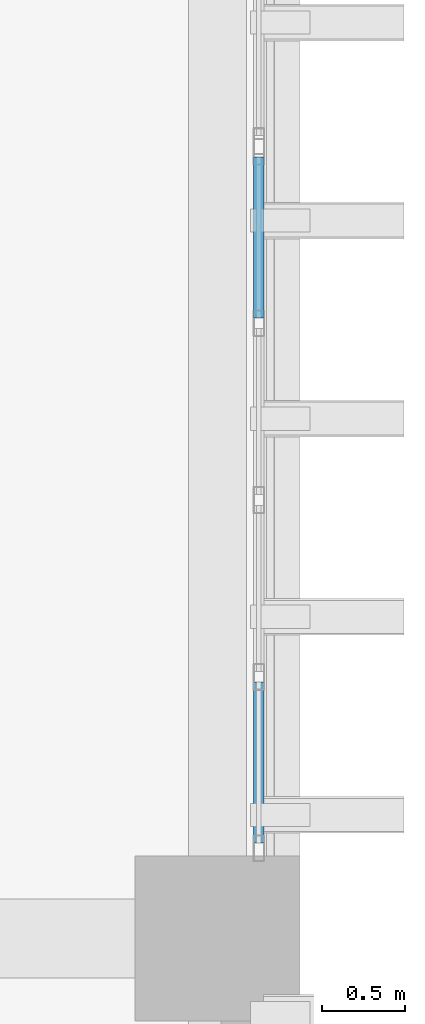
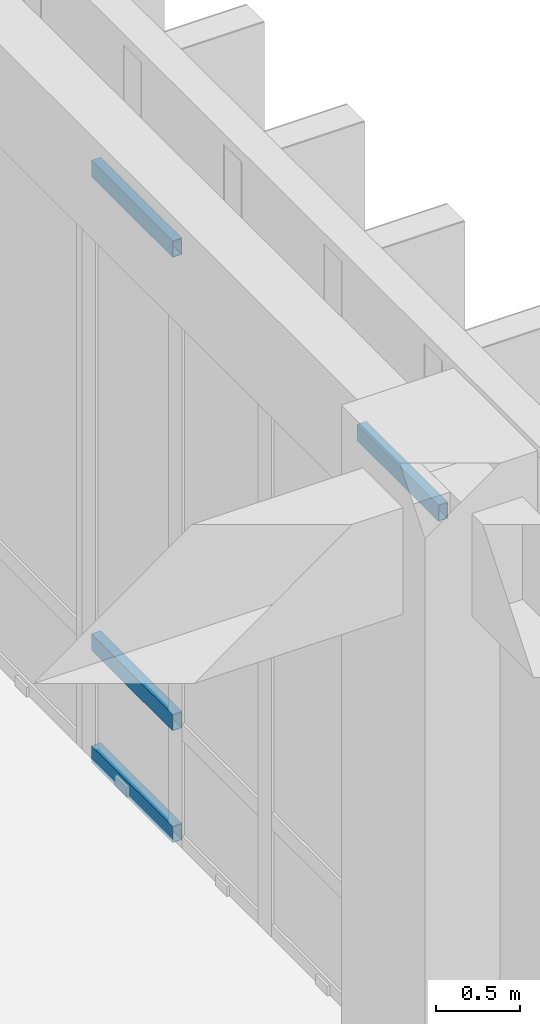
# One storey, part 90 of 134: 4 members, 1 element without a shape of its own.
"""IFC4 building model written with IfcOpenShell, lengths in metres."""

from ifc_helpers import new_model, si_unit, direction, frame, origin, origin_2d, place, context, subcontext, project, spatial, hollow_rectangle, extrude, material, layer, layer_set, material_profile, profile_set, type_object, element, aggregate, save


model = new_model("IFC4")

# Units and contexts
model_context = context("Model", 3, precision=1e-05, world=origin(), true_north=direction((0.0, 1.0)))
body_context = subcontext(model_context, "Body", "Model", "MODEL_VIEW")
ifc_project = project(units=[si_unit("LENGTHUNIT", "METRE"), si_unit("AREAUNIT", "SQUARE_METRE"), si_unit("VOLUMEUNIT", "CUBIC_METRE"), si_unit("PLANEANGLEUNIT", "RADIAN"), si_unit("MASSUNIT", "GRAM", prefix="KILO")], contexts=[model_context])

# Site, building, storey
site_placement = place(None, origin())
site = spatial("IfcSite", under=ifc_project, at=site_placement, CompositionType="ELEMENT")
building_placement = place(site_placement, origin())
building = spatial("IfcBuilding", under=site, at=building_placement, Name="Nakhvara Creek Congress Hotel", CompositionType="ELEMENT")
storey_placement = place(building_placement, frame((0.0, 0.0, 6.0)))
storey = spatial("IfcBuildingStorey", under=building, at=storey_placement, Name="L01", CompositionType="ELEMENT", Elevation=6.0)

# Curtain wall, members
ifc_material_1 = material(Name="Bronze-anodised aluminium AW-6063-T6 and double-silver low-E glass", Category="aluminium")
ifc_layer = layer(ifc_material_1, 0.199951171875)
ifc_layer_set = layer_set([ifc_layer], Name="Bronze-anodised aluminium AW-6063-T6 and double-silver low-E glass")
curtain_wall_type = type_object("IfcCurtainWallType", Name="CW-HTL-UNIT", PredefinedType="USERDEFINED", material=ifc_layer_set)
curtain_wall_placement = place(storey_placement, origin())
curtain_wall = element("IfcCurtainWall", 1, at=curtain_wall_placement, inside=storey, type_object=curtain_wall_type, Name="Curtain Wall CW125", ObjectType="UNITISED", PredefinedType="USERDEFINED")
ifc_material_2 = material(Name="Bronze-anodised aluminium AW-6063-T6", Category="aluminium")
ifc_material_profile = material_profile(ifc_material_2, hollow_rectangle(XDim=0.06494140625, YDim=0.1201171875, WallThickness=0.00390625, at=origin_2d()), Name="ALU-TRAN 65x120x4", Category="LoadBearing")
ifc_profile_set = profile_set([ifc_material_profile], Name="Bronze-anodised aluminium AW-6063-T6")
member_type = type_object("IfcMemberType", Name="CW-TRAN-120", PredefinedType="USERDEFINED", material=ifc_profile_set)
member_1_placement = place(storey_placement, frame((179.60009765625, 119.93505859375, 0.032470703125), z_axis=(0.0, -1.0, 0.0), x_axis=(1.0, 0.0, 0.0)))
member_1 = element("IfcMember", 2, at=member_1_placement, type_object=member_type, Name="CW125 transom 1.1", ObjectType="TRANSOM", PredefinedType="USERDEFINED", context=body_context, shape_type="SweptSolid", body=[
    extrude(hollow_rectangle(XDim=0.06494140625, YDim=0.1201171875, WallThickness=0.00390625, at=origin_2d()), origin(), (0.0, 0.0, 1.0), 0.973876953125),
])
member_2_placement = place(storey_placement, frame((179.60009765625, 119.93505859375, 0.85009765625), z_axis=(0.0, -1.0, 0.0), x_axis=(1.0, 0.0, 0.0)))
member_2 = element("IfcMember", 3, at=member_2_placement, type_object=member_type, Name="CW125 transom 1.2", ObjectType="TRANSOM", PredefinedType="USERDEFINED", context=body_context, shape_type="SweptSolid", body=[
    extrude(hollow_rectangle(XDim=0.06494140625, YDim=0.1201171875, WallThickness=0.00390625, at=origin_2d()), origin(), (0.0, 0.0, 1.0), 0.973876953125),
])
member_3_placement = place(storey_placement, frame((179.60009765625, 119.93505859375, 4.3095703125), z_axis=(0.0, -1.0, 0.0), x_axis=(1.0, 0.0, 0.0)))
member_3 = element("IfcMember", 4, at=member_3_placement, type_object=member_type, Name="CW125 transom 1.3", ObjectType="TRANSOM", PredefinedType="USERDEFINED", context=body_context, shape_type="SweptSolid", body=[
    extrude(hollow_rectangle(XDim=0.06494140625, YDim=0.1201171875, WallThickness=0.00390625, at=origin_2d()), origin(), (0.0, 0.0, 1.0), 0.973876953125),
])
member_4_placement = place(storey_placement, frame((179.60009765625, 116.753662109375, 4.3095703125), z_axis=(0.0, -1.0, 0.0), x_axis=(1.0, 0.0, 0.0)))
member_4 = element("IfcMember", 5, at=member_4_placement, type_object=member_type, Name="CW125 transom 4.3", ObjectType="TRANSOM", PredefinedType="USERDEFINED", context=body_context, shape_type="SweptSolid", body=[
    extrude(hollow_rectangle(XDim=0.06494140625, YDim=0.1201171875, WallThickness=0.00390625, at=origin_2d()), origin(), (0.0, 0.0, 1.0), 0.9736328125),
])
aggregate(curtain_wall, [member_1, member_2, member_3, member_4])

save(model, "model.ifc")
